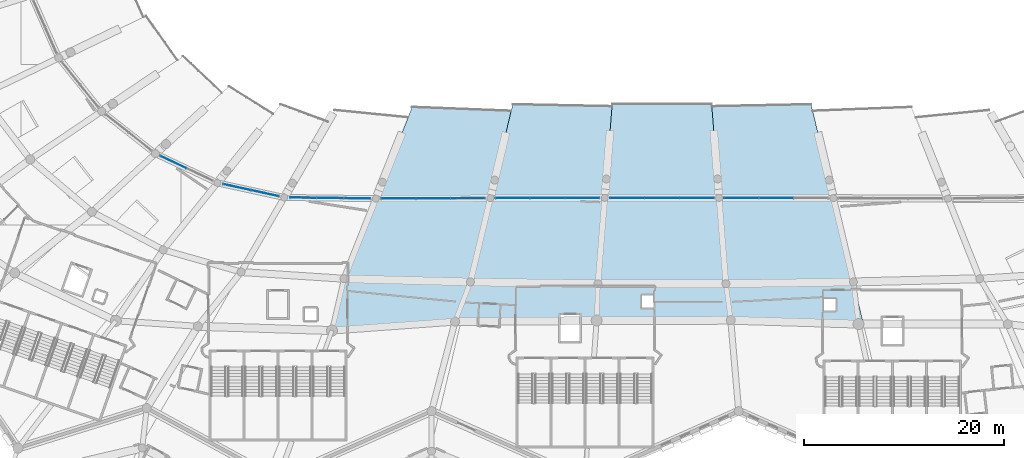
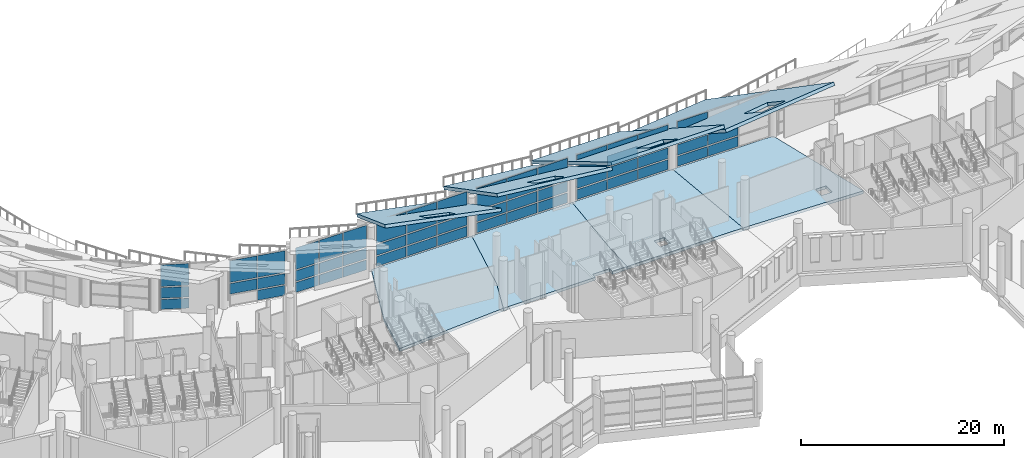
# One storey, part 102 of 249: 52 plates, 8 slabs, 7 elements without a shape of their own.
"""IFC4 building model written with IfcOpenShell, lengths in metres."""

import ifcopenshell
import ifcopenshell.guid

model = None  # the IFC model being written
_history = None  # IfcOwnerHistory: only IFC2X3 demands one
_inside = {}  # id of a spatial element -> (the spatial element, [elements in it])
_under = {}  # id of a project, library or spatial element -> (it, [spatial elements below it])
_declared = {}  # id of a project -> (the project, [libraries it declares])
_typed = {}  # id of a type object -> (the type object, [elements of that type])
_made_of = {}  # id of a material, layer set ... -> (it, [elements and type objects made of it])


def new_model(schema):
    """Start an empty IFC model of exactly this schema.

    Asked for "IFC4X3", IfcOpenShell would pick the latest addendum, in which some entities
    have other attributes; the version numbers below select the first issue.
    IFC2X3 requires an IfcOwnerHistory on every rooted entity: one is made here for all.
    """
    global model, _history
    if schema == "IFC4X3":
        model = ifcopenshell.file(schema_version=(4, 3, 0, 0))
    else:
        model = ifcopenshell.file(schema=schema)
    _inside.clear()
    _under.clear()
    _declared.clear()
    _typed.clear()
    _made_of.clear()
    _history = None
    if model.schema == "IFC2X3":
        org = make("IfcOrganization", Name="unknown")
        user = make(
            "IfcPersonAndOrganization",
            ThePerson=make("IfcPerson", FamilyName="unknown"),
            TheOrganization=org,
        )
        app = make(
            "IfcApplication",
            ApplicationDeveloper=org,
            Version="unknown",
            ApplicationFullName="unknown",
            ApplicationIdentifier="unknown",
        )
        _history = make(
            "IfcOwnerHistory",
            OwningUser=user,
            OwningApplication=app,
            ChangeAction="ADDED",
            CreationDate=0,
        )
    return model


def make(cls, **values):
    """One entity of the class cls with the attributes given. An attribute that is None is left unset."""
    return model.create_entity(
        cls, **{name: value for name, value in values.items() if value is not None}
    )


def rooted(cls, **values):
    """An entity with a GlobalId (a new one), such as an element, a storey or a relation."""
    return make(cls, GlobalId=ifcopenshell.guid.new(), OwnerHistory=_history, **values)


def si_unit(unit_type, name, prefix=None):
    """IfcSIUnit, for example si_unit("LENGTHUNIT", "METRE", prefix="MILLI")."""
    return make("IfcSIUnit", UnitType=unit_type, Prefix=prefix, Name=name)


def assignment(units):
    """IfcUnitAssignment: the units of a project."""
    return None if units is None else make("IfcUnitAssignment", Units=units)


def point(xyz):
    """IfcCartesianPoint."""
    return None if xyz is None else make("IfcCartesianPoint", Coordinates=xyz)


def direction(xyz):
    """IfcDirection."""
    return None if xyz is None else make("IfcDirection", DirectionRatios=xyz)


def frame(location, z_axis=None, x_axis=None):
    """IfcAxis2Placement3D, a coordinate frame: its origin and axes. An axis left out is left unset."""
    return make(
        "IfcAxis2Placement3D",
        Location=point(location),
        Axis=direction(z_axis),
        RefDirection=direction(x_axis),
    )


def frame_2d(location, x_axis=None):
    """IfcAxis2Placement2D, a coordinate frame in the plane: its origin and x axis."""
    return make(
        "IfcAxis2Placement2D", Location=point(location), RefDirection=direction(x_axis)
    )


def origin():
    """The frame at (0, 0, 0) with its axes left unset."""
    return frame((0.0, 0.0, 0.0))


def origin_2d():
    """The frame at (0, 0) in the plane with its x axis left unset."""
    return frame_2d((0.0, 0.0))


def place(relative_to, where):
    """IfcLocalPlacement: puts the frame where relative to a parent placement (None: the world)."""
    return make(
        "IfcLocalPlacement", PlacementRelTo=relative_to, RelativePlacement=where
    )


def context(
    kind, dimensions, precision=None, world=None, true_north=None, identifier=None
):
    """IfcGeometricRepresentationContext, for example the 3D "Model" context."""
    return make(
        "IfcGeometricRepresentationContext",
        ContextIdentifier=identifier,
        ContextType=kind,
        CoordinateSpaceDimension=dimensions,
        Precision=precision,
        WorldCoordinateSystem=world,
        TrueNorth=true_north,
    )


def subcontext(parent, identifier, kind, view, scale=None):
    """IfcGeometricRepresentationSubContext, for example "Body" below "Model"."""
    return make(
        "IfcGeometricRepresentationSubContext",
        ContextIdentifier=identifier,
        ContextType=kind,
        ParentContext=parent,
        TargetScale=scale,
        TargetView=view,
    )


def project(units=None, contexts=None):
    """IfcProject with its units and contexts."""
    return rooted(
        "IfcProject",
        Name="project",
        RepresentationContexts=contexts,
        UnitsInContext=assignment(units),
    )


def spatial(cls, under=None, at=None, **own):
    """A site, building, storey or space (cls), placed at a placement, below another one or the project."""
    s = rooted(cls, ObjectPlacement=at, **own)
    if under is not None:
        _under.setdefault(under.id(), (under, []))[1].append(s)
    return s


def polyline(points):
    """IfcPolyline through the points."""
    return make("IfcPolyline", Points=[point(p) for p in points])


def profile(cls, at=None, kind="AREA", **sizes):
    """A parametric profile (cls). Its sizes go by their IFC names, for example OverallWidth=200.0."""
    return make(cls, ProfileType=kind, Position=at, **sizes)


def rectangle(**sizes):
    """IfcRectangleProfileDef."""
    return profile("IfcRectangleProfileDef", **sizes)


def outline(outer, holes=None, kind="AREA"):
    """IfcArbitraryClosedProfileDef: a profile drawn as a closed curve; with holes, ...WithVoids."""
    if holes is None:
        return make("IfcArbitraryClosedProfileDef", ProfileType=kind, OuterCurve=outer)
    return make(
        "IfcArbitraryProfileDefWithVoids",
        ProfileType=kind,
        OuterCurve=outer,
        InnerCurves=holes,
    )


def extrude(swept, where, along, depth):
    """IfcExtrudedAreaSolid: the profile swept, set in the frame where, extruded along a direction by depth."""
    return make(
        "IfcExtrudedAreaSolid",
        SweptArea=swept,
        Position=where,
        ExtrudedDirection=direction(along),
        Depth=depth,
    )


def shape(context_of_items, identifier, shape_type, items):
    """IfcShapeRepresentation: the items that make up one representation, for example the "Body"."""
    return make(
        "IfcShapeRepresentation",
        ContextOfItems=context_of_items,
        RepresentationIdentifier=identifier,
        RepresentationType=shape_type,
        Items=items,
    )


def material(Name=None, Category=None):
    """IfcMaterial."""
    return make("IfcMaterial", Name=Name, Category=Category)


def layer(
    of_material, thickness, ventilated=None, Name=None, Category=None, Priority=None
):
    """IfcMaterialLayer: one layer of a wall or slab, of a material (None: an air gap)."""
    return make(
        "IfcMaterialLayer",
        Material=of_material,
        LayerThickness=thickness,
        IsVentilated=ventilated,
        Name=Name,
        Category=Category,
        Priority=Priority,
    )


def layer_set(layers, Name=None):
    """IfcMaterialLayerSet."""
    return make("IfcMaterialLayerSet", MaterialLayers=layers, LayerSetName=Name)


def made_of(thing, what):
    """Note that an element or type object is made of a material, layer set ...; save() writes the relation."""
    if what is not None:
        _made_of.setdefault(what.id(), (what, []))[1].append(thing)
    return thing


def type_object(cls, material=None, **own):
    """A type object (cls), such as IfcWallType, which elements share."""
    return made_of(rooted(cls, **own), material)


def element(
    cls,
    number,
    at=None,
    inside=None,
    cuts=None,
    type_object=None,
    material=None,
    context=None,
    identifier="Body",
    shape_type=None,
    held_by="IfcProductDefinitionShape",
    body=None,
    shapes=None,
    **own,
):
    """One element of the class cls, such as IfcWall. Its Tag is "e" and its number.

    at: its placement. inside: the storey or other place that contains it. cuts: it is an
    opening in that element (IfcRelVoidsElement). A single representation is given by context,
    identifier, shape_type and body (its items); several are given by shapes. held_by: the class
    of the entity that holds the representations. save() writes the other relations.
    """
    e = rooted(cls, Tag="e%d" % number, ObjectPlacement=at, **own)
    if body is not None:
        shapes = [shape(context, identifier, shape_type, body)]
    if shapes is not None:
        e.Representation = make(held_by, Representations=shapes)
    if inside is not None:
        _inside.setdefault(inside.id(), (inside, []))[1].append(e)
    if cuts is not None:
        rooted(
            "IfcRelVoidsElement", RelatingBuildingElement=cuts, RelatedOpeningElement=e
        )
    if type_object is not None:
        _typed.setdefault(type_object.id(), (type_object, []))[1].append(e)
    return made_of(e, material)


def aggregate(whole, parts):
    """IfcRelAggregates: a whole, such as a stair, and the parts it consists of."""
    return rooted("IfcRelAggregates", RelatingObject=whole, RelatedObjects=parts)


def save(model, path):
    """Write the relations noted so far, then the file.

    IfcRelAggregates (storeys below a building ...), IfcRelContainedInSpatialStructure (elements
    in a storey), IfcRelDefinesByType, IfcRelAssociatesMaterial and IfcRelDeclares: one each for
    every whole, place, type object, material and project.
    """
    for whole, parts in _under.values():
        aggregate(whole, parts)
    for where, things in _inside.values():
        rooted(
            "IfcRelContainedInSpatialStructure",
            RelatedElements=things,
            RelatingStructure=where,
        )
    for kind, things in _typed.values():
        rooted("IfcRelDefinesByType", RelatedObjects=things, RelatingType=kind)
    for what, things in _made_of.values():
        rooted("IfcRelAssociatesMaterial", RelatedObjects=things, RelatingMaterial=what)
    for by, libraries in _declared.values():
        rooted("IfcRelDeclares", RelatingContext=by, RelatedDefinitions=libraries)
    model.write(path)


model = new_model("IFC4")

# Units and contexts
model_context = context("Model", 3, precision=1e-05, world=origin(), true_north=direction((0.0, 1.0)))
body_context = subcontext(model_context, "Body", "Model", "MODEL_VIEW")
ifc_project = project(units=[si_unit("LENGTHUNIT", "METRE"), si_unit("AREAUNIT", "SQUARE_METRE"), si_unit("VOLUMEUNIT", "CUBIC_METRE"), si_unit("PLANEANGLEUNIT", "RADIAN"), si_unit("MASSUNIT", "GRAM", prefix="KILO")], contexts=[model_context])

# Site, building, storey
site_placement = place(None, origin())
site = spatial("IfcSite", under=ifc_project, at=site_placement, CompositionType="ELEMENT")
building_placement = place(site_placement, origin())
building = spatial("IfcBuilding", under=site, at=building_placement, Name="Meseta Stadium", CompositionType="ELEMENT")
storey_placement = place(building_placement, frame((0.0, 0.0, 12.0)))
storey = spatial("IfcBuildingStorey", under=building, at=storey_placement, Name="L02", CompositionType="ELEMENT", Elevation=12.0)

# Curtain wall, plates
ifc_material_1 = material(Name="Aluminium", Category="aluminium")
ifc_layer_1 = layer(ifc_material_1, 0.199951171875)
ifc_layer_set_1 = layer_set([ifc_layer_1], Name="Suite glazing curtain wall")
curtain_wall_type = type_object("IfcCurtainWallType", Name="Suite glazing curtain wall", PredefinedType="NOTDEFINED", material=ifc_layer_set_1)
curtain_wall_1_placement = place(storey_placement, origin())
curtain_wall_1 = element("IfcCurtainWall", 1, at=curtain_wall_1_placement, inside=storey, type_object=curtain_wall_type, Name="Suite glazing bay 41", PredefinedType="NOTDEFINED")
ifc_material_2 = material(Name="Glass", Category="glass")
ifc_layer_2 = layer(ifc_material_2, 0.035888671875)
ifc_layer_set_2 = layer_set([ifc_layer_2], Name="CW glass panel 36")
plate_type = type_object("IfcPlateType", Name="CW glass panel 36", PredefinedType="CURTAIN_PANEL", material=ifc_layer_set_2)
plate_1_placement = place(storey_placement, frame((-48.77294921875, -73.737548828125, 0.14990234375), z_axis=(0.0, 0.0, 1.0), x_axis=(0.904328409074, -0.426837356076, 0.0)))
plate_1 = element("IfcPlate", 2, at=plate_1_placement, type_object=plate_type, Name="CWS panel 1.1", PredefinedType="CURTAIN_PANEL", context=body_context, shape_type="SweptSolid", body=[
    extrude(rectangle(XDim=2.822509765625, YDim=0.035888671875, at=origin_2d()), origin(), (0.0, 0.0, 1.0), 1.1875),
])
plate_2_placement = place(storey_placement, frame((-48.77294921875, -73.737548828125, 1.4873046875), z_axis=(0.0, 0.0, 1.0), x_axis=(0.904328409074, -0.426837356076, 0.0)))
plate_2 = element("IfcPlate", 3, at=plate_2_placement, type_object=plate_type, Name="CWS panel 1.2", PredefinedType="CURTAIN_PANEL", context=body_context, shape_type="SweptSolid", body=[
    extrude(rectangle(XDim=2.822509765625, YDim=0.035888671875, at=origin_2d()), origin(), (0.0, 0.0, 1.0), 1.262451171875),
])
plate_3_placement = place(storey_placement, frame((-48.77294921875, -73.737548828125, 2.89990234375), z_axis=(0.0, 0.0, 1.0), x_axis=(0.904328409074, -0.426837356076, 0.0)))
plate_3 = element("IfcPlate", 4, at=plate_3_placement, type_object=plate_type, Name="CWS panel 1.3", PredefinedType="CURTAIN_PANEL", context=body_context, shape_type="SweptSolid", body=[
    extrude(rectangle(XDim=2.822509765625, YDim=0.035888671875, at=origin_2d()), origin(), (0.0, 0.0, 1.0), 2.60009765625),
])
aggregate(curtain_wall_1, [plate_1, plate_2, plate_3])

curtain_wall_2_placement = place(storey_placement, origin())
curtain_wall_2 = element("IfcCurtainWall", 5, at=curtain_wall_2_placement, inside=storey, type_object=curtain_wall_type, Name="Suite glazing bay 42", PredefinedType="NOTDEFINED")
plate_4_placement = place(storey_placement, frame((-42.43603515625, -76.232177734375, 1.4873046875), z_axis=(0.0, 0.0, 1.0), x_axis=(0.977070301273, -0.21291694712, 0.0)))
plate_4 = element("IfcPlate", 6, at=plate_4_placement, type_object=plate_type, Name="CWS panel 1.2", PredefinedType="CURTAIN_PANEL", context=body_context, shape_type="SweptSolid", body=[
    extrude(rectangle(XDim=2.80810546875, YDim=0.035888671875, at=origin_2d()), origin(), (0.0, 0.0, 1.0), 1.262451171875),
])
plate_5_placement = place(storey_placement, frame((-42.43603515625, -76.232177734375, 2.89990234375), z_axis=(0.0, 0.0, 1.0), x_axis=(0.977070301273, -0.21291694712, 0.0)))
plate_5 = element("IfcPlate", 7, at=plate_5_placement, type_object=plate_type, Name="CWS panel 1.3", PredefinedType="CURTAIN_PANEL", context=body_context, shape_type="SweptSolid", body=[
    extrude(rectangle(XDim=2.80810546875, YDim=0.035888671875, at=origin_2d()), origin(), (0.0, 0.0, 1.0), 2.60009765625),
])
plate_6_placement = place(storey_placement, frame((-39.633544921875, -76.843017578125, 0.14990234375), z_axis=(0.0, 0.0, 1.0), x_axis=(0.977070301273, -0.21291694712, 0.0)))
plate_6 = element("IfcPlate", 8, at=plate_6_placement, type_object=plate_type, Name="CWS panel 2.1", PredefinedType="CURTAIN_PANEL", context=body_context, shape_type="SweptSolid", body=[
    extrude(rectangle(XDim=2.80810546875, YDim=0.035888671875, at=origin_2d()), origin(), (0.0, 0.0, 1.0), 1.1875),
])
plate_7_placement = place(storey_placement, frame((-39.633544921875, -76.843017578125, 1.4873046875), z_axis=(0.0, 0.0, 1.0), x_axis=(0.977070301273, -0.21291694712, 0.0)))
plate_7 = element("IfcPlate", 9, at=plate_7_placement, type_object=plate_type, Name="CWS panel 2.2", PredefinedType="CURTAIN_PANEL", context=body_context, shape_type="SweptSolid", body=[
    extrude(rectangle(XDim=2.80810546875, YDim=0.035888671875, at=origin_2d()), origin(), (0.0, 0.0, 1.0), 1.262451171875),
])
plate_8_placement = place(storey_placement, frame((-39.633544921875, -76.843017578125, 2.89990234375), z_axis=(0.0, 0.0, 1.0), x_axis=(0.977070301273, -0.21291694712, 0.0)))
plate_8 = element("IfcPlate", 10, at=plate_8_placement, type_object=plate_type, Name="CWS panel 2.3", PredefinedType="CURTAIN_PANEL", context=body_context, shape_type="SweptSolid", body=[
    extrude(rectangle(XDim=2.80810546875, YDim=0.035888671875, at=origin_2d()), origin(), (0.0, 0.0, 1.0), 2.60009765625),
])
aggregate(curtain_wall_2, [plate_4, plate_5, plate_6, plate_7, plate_8])

curtain_wall_3_placement = place(storey_placement, origin())
curtain_wall_3 = element("IfcCurtainWall", 11, at=curtain_wall_3_placement, inside=storey, type_object=curtain_wall_type, Name="Suite glazing bay 43", PredefinedType="NOTDEFINED")
plate_9_placement = place(storey_placement, frame((-35.80029296875, -77.287109375, 0.14990234375), z_axis=(0.0, 0.0, 1.0), x_axis=(0.999911801279, -0.013281177042, 0.0)))
plate_9 = element("IfcPlate", 12, at=plate_9_placement, type_object=plate_type, Name="CWS panel 1.1", PredefinedType="CURTAIN_PANEL", context=body_context, shape_type="SweptSolid", body=[
    extrude(rectangle(XDim=2.60546875, YDim=0.035888671875, at=origin_2d()), origin(), (0.0, 0.0, 1.0), 1.1875),
])
plate_10_placement = place(storey_placement, frame((-35.80029296875, -77.287109375, 1.4873046875), z_axis=(0.0, 0.0, 1.0), x_axis=(0.999911801279, -0.013281177042, 0.0)))
plate_10 = element("IfcPlate", 13, at=plate_10_placement, type_object=plate_type, Name="CWS panel 1.2", PredefinedType="CURTAIN_PANEL", context=body_context, shape_type="SweptSolid", body=[
    extrude(rectangle(XDim=2.60546875, YDim=0.035888671875, at=origin_2d()), origin(), (0.0, 0.0, 1.0), 1.262451171875),
])
plate_11_placement = place(storey_placement, frame((-35.80029296875, -77.287109375, 2.89990234375), z_axis=(0.0, 0.0, 1.0), x_axis=(0.999911801279, -0.013281177042, 0.0)))
plate_11 = element("IfcPlate", 14, at=plate_11_placement, type_object=plate_type, Name="CWS panel 1.3", PredefinedType="CURTAIN_PANEL", context=body_context, shape_type="SweptSolid", body=[
    extrude(rectangle(XDim=2.60546875, YDim=0.035888671875, at=origin_2d()), origin(), (0.0, 0.0, 1.0), 2.60009765625),
])
plate_12_placement = place(storey_placement, frame((-33.1201171875, -77.32275390625, 0.14990234375), z_axis=(0.0, 0.0, 1.0), x_axis=(0.999911801279, -0.013281177042, 0.0)))
plate_12 = element("IfcPlate", 15, at=plate_12_placement, type_object=plate_type, Name="CWS panel 2.1", PredefinedType="CURTAIN_PANEL", context=body_context, shape_type="SweptSolid", body=[
    extrude(rectangle(XDim=2.635498046875, YDim=0.035888671875, at=origin_2d()), origin(), (0.0, 0.0, 1.0), 1.1875),
])
plate_13_placement = place(storey_placement, frame((-33.1201171875, -77.32275390625, 1.4873046875), z_axis=(0.0, 0.0, 1.0), x_axis=(0.999911801279, -0.013281177042, 0.0)))
plate_13 = element("IfcPlate", 16, at=plate_13_placement, type_object=plate_type, Name="CWS panel 2.2", PredefinedType="CURTAIN_PANEL", context=body_context, shape_type="SweptSolid", body=[
    extrude(rectangle(XDim=2.635498046875, YDim=0.035888671875, at=origin_2d()), origin(), (0.0, 0.0, 1.0), 1.262451171875),
])
plate_14_placement = place(storey_placement, frame((-33.1201171875, -77.32275390625, 2.89990234375), z_axis=(0.0, 0.0, 1.0), x_axis=(0.999911801279, -0.013281177042, 0.0)))
plate_14 = element("IfcPlate", 17, at=plate_14_placement, type_object=plate_type, Name="CWS panel 2.3", PredefinedType="CURTAIN_PANEL", context=body_context, shape_type="SweptSolid", body=[
    extrude(rectangle(XDim=2.635498046875, YDim=0.035888671875, at=origin_2d()), origin(), (0.0, 0.0, 1.0), 2.60009765625),
])
plate_15_placement = place(storey_placement, frame((-30.43994140625, -77.3583984375, 0.14990234375), z_axis=(0.0, 0.0, 1.0), x_axis=(0.999911801279, -0.013281177042, 0.0)))
plate_15 = element("IfcPlate", 18, at=plate_15_placement, type_object=plate_type, Name="CWS panel 3.1", PredefinedType="CURTAIN_PANEL", context=body_context, shape_type="SweptSolid", body=[
    extrude(rectangle(XDim=2.60546875, YDim=0.035888671875, at=origin_2d()), origin(), (0.0, 0.0, 1.0), 1.1875),
])
plate_16_placement = place(storey_placement, frame((-30.43994140625, -77.3583984375, 1.4873046875), z_axis=(0.0, 0.0, 1.0), x_axis=(0.999911801279, -0.013281177042, 0.0)))
plate_16 = element("IfcPlate", 19, at=plate_16_placement, type_object=plate_type, Name="CWS panel 3.2", PredefinedType="CURTAIN_PANEL", context=body_context, shape_type="SweptSolid", body=[
    extrude(rectangle(XDim=2.60546875, YDim=0.035888671875, at=origin_2d()), origin(), (0.0, 0.0, 1.0), 1.262451171875),
])
plate_17_placement = place(storey_placement, frame((-30.43994140625, -77.3583984375, 2.89990234375), z_axis=(0.0, 0.0, 1.0), x_axis=(0.999911801279, -0.013281177042, 0.0)))
plate_17 = element("IfcPlate", 20, at=plate_17_placement, type_object=plate_type, Name="CWS panel 3.3", PredefinedType="CURTAIN_PANEL", context=body_context, shape_type="SweptSolid", body=[
    extrude(rectangle(XDim=2.60546875, YDim=0.035888671875, at=origin_2d()), origin(), (0.0, 0.0, 1.0), 2.60009765625),
])
aggregate(curtain_wall_3, [plate_9, plate_10, plate_11, plate_12, plate_13, plate_14, plate_15, plate_16, plate_17])

curtain_wall_4_placement = place(storey_placement, origin())
curtain_wall_4 = element("IfcCurtainWall", 21, at=curtain_wall_4_placement, inside=storey, type_object=curtain_wall_type, Name="Suite glazing bay 44", PredefinedType="NOTDEFINED")
plate_18_placement = place(storey_placement, frame((-26.29541015625, -77.373046875, 0.14990234375), z_axis=(0.0, 0.0, 1.0), x_axis=(0.999990015912, 0.004468565348, 0.0)))
plate_18 = element("IfcPlate", 22, at=plate_18_placement, type_object=plate_type, Name="CWS panel 1.1", PredefinedType="CURTAIN_PANEL", context=body_context, shape_type="SweptSolid", body=[
    extrude(rectangle(XDim=3.386474609375, YDim=0.035888671875, at=origin_2d()), origin(), (0.0, 0.0, 1.0), 1.1875),
])
plate_19_placement = place(storey_placement, frame((-26.29541015625, -77.373046875, 1.4873046875), z_axis=(0.0, 0.0, 1.0), x_axis=(0.999990015912, 0.004468565348, 0.0)))
plate_19 = element("IfcPlate", 23, at=plate_19_placement, type_object=plate_type, Name="CWS panel 1.2", PredefinedType="CURTAIN_PANEL", context=body_context, shape_type="SweptSolid", body=[
    extrude(rectangle(XDim=3.386474609375, YDim=0.035888671875, at=origin_2d()), origin(), (0.0, 0.0, 1.0), 1.262451171875),
])
plate_20_placement = place(storey_placement, frame((-26.29541015625, -77.373046875, 2.89990234375), z_axis=(0.0, 0.0, 1.0), x_axis=(0.999990015912, 0.004468565348, 0.0)))
plate_20 = element("IfcPlate", 24, at=plate_20_placement, type_object=plate_type, Name="CWS panel 1.3", PredefinedType="CURTAIN_PANEL", context=body_context, shape_type="SweptSolid", body=[
    extrude(rectangle(XDim=3.386474609375, YDim=0.035888671875, at=origin_2d()), origin(), (0.0, 0.0, 1.0), 2.60009765625),
])
plate_21_placement = place(storey_placement, frame((-22.833984375, -77.357666015625, 0.14990234375), z_axis=(0.0, 0.0, 1.0), x_axis=(0.999990015912, 0.004468565348, 0.0)))
plate_21 = element("IfcPlate", 25, at=plate_21_placement, type_object=plate_type, Name="CWS panel 2.1", PredefinedType="CURTAIN_PANEL", context=body_context, shape_type="SweptSolid", body=[
    extrude(rectangle(XDim=3.41650390625, YDim=0.035888671875, at=origin_2d()), origin(), (0.0, 0.0, 1.0), 1.1875),
])
plate_22_placement = place(storey_placement, frame((-22.833984375, -77.357666015625, 1.4873046875), z_axis=(0.0, 0.0, 1.0), x_axis=(0.999990015912, 0.004468565348, 0.0)))
plate_22 = element("IfcPlate", 26, at=plate_22_placement, type_object=plate_type, Name="CWS panel 2.2", PredefinedType="CURTAIN_PANEL", context=body_context, shape_type="SweptSolid", body=[
    extrude(rectangle(XDim=3.41650390625, YDim=0.035888671875, at=origin_2d()), origin(), (0.0, 0.0, 1.0), 1.262451171875),
])
plate_23_placement = place(storey_placement, frame((-22.833984375, -77.357666015625, 2.89990234375), z_axis=(0.0, 0.0, 1.0), x_axis=(0.999990015912, 0.004468565348, 0.0)))
plate_23 = element("IfcPlate", 27, at=plate_23_placement, type_object=plate_type, Name="CWS panel 2.3", PredefinedType="CURTAIN_PANEL", context=body_context, shape_type="SweptSolid", body=[
    extrude(rectangle(XDim=3.41650390625, YDim=0.035888671875, at=origin_2d()), origin(), (0.0, 0.0, 1.0), 2.60009765625),
])
plate_24_placement = place(storey_placement, frame((-19.372802734375, -77.342041015625, 0.14990234375), z_axis=(0.0, 0.0, 1.0), x_axis=(0.999990015912, 0.004468565348, 0.0)))
plate_24 = element("IfcPlate", 28, at=plate_24_placement, type_object=plate_type, Name="CWS panel 3.1", PredefinedType="CURTAIN_PANEL", context=body_context, shape_type="SweptSolid", body=[
    extrude(rectangle(XDim=3.386474609375, YDim=0.035888671875, at=origin_2d()), origin(), (0.0, 0.0, 1.0), 1.1875),
])
plate_25_placement = place(storey_placement, frame((-19.372802734375, -77.342041015625, 1.4873046875), z_axis=(0.0, 0.0, 1.0), x_axis=(0.999990015912, 0.004468565348, 0.0)))
plate_25 = element("IfcPlate", 29, at=plate_25_placement, type_object=plate_type, Name="CWS panel 3.2", PredefinedType="CURTAIN_PANEL", context=body_context, shape_type="SweptSolid", body=[
    extrude(rectangle(XDim=3.386474609375, YDim=0.035888671875, at=origin_2d()), origin(), (0.0, 0.0, 1.0), 1.262451171875),
])
plate_26_placement = place(storey_placement, frame((-19.372802734375, -77.342041015625, 2.89990234375), z_axis=(0.0, 0.0, 1.0), x_axis=(0.999990015912, 0.004468565348, 0.0)))
plate_26 = element("IfcPlate", 30, at=plate_26_placement, type_object=plate_type, Name="CWS panel 3.3", PredefinedType="CURTAIN_PANEL", context=body_context, shape_type="SweptSolid", body=[
    extrude(rectangle(XDim=3.386474609375, YDim=0.035888671875, at=origin_2d()), origin(), (0.0, 0.0, 1.0), 2.60009765625),
])
aggregate(curtain_wall_4, [plate_18, plate_19, plate_20, plate_21, plate_22, plate_23, plate_24, plate_25, plate_26])

curtain_wall_5_placement = place(storey_placement, origin())
curtain_wall_5 = element("IfcCurtainWall", 31, at=curtain_wall_5_placement, inside=storey, type_object=curtain_wall_type, Name="Suite glazing bay 45", PredefinedType="NOTDEFINED")
plate_27_placement = place(storey_placement, frame((-14.8779296875, -77.326416015625, 0.14990234375), z_axis=(0.0, 0.0, 1.0), x_axis=(0.999996910004, 0.002485957037, 0.0)))
plate_27 = element("IfcPlate", 32, at=plate_27_placement, type_object=plate_type, Name="CWS panel 1.1", PredefinedType="CURTAIN_PANEL", context=body_context, shape_type="SweptSolid", body=[
    extrude(rectangle(XDim=3.392333984375, YDim=0.035888671875, at=origin_2d()), origin(), (0.0, 0.0, 1.0), 1.1875),
])
plate_28_placement = place(storey_placement, frame((-14.8779296875, -77.326416015625, 1.4873046875), z_axis=(0.0, 0.0, 1.0), x_axis=(0.999996910004, 0.002485957037, 0.0)))
plate_28 = element("IfcPlate", 33, at=plate_28_placement, type_object=plate_type, Name="CWS panel 1.2", PredefinedType="CURTAIN_PANEL", context=body_context, shape_type="SweptSolid", body=[
    extrude(rectangle(XDim=3.392333984375, YDim=0.035888671875, at=origin_2d()), origin(), (0.0, 0.0, 1.0), 1.262451171875),
])
plate_29_placement = place(storey_placement, frame((-14.8779296875, -77.326416015625, 2.89990234375), z_axis=(0.0, 0.0, 1.0), x_axis=(0.999996910004, 0.002485957037, 0.0)))
plate_29 = element("IfcPlate", 34, at=plate_29_placement, type_object=plate_type, Name="CWS panel 1.3", PredefinedType="CURTAIN_PANEL", context=body_context, shape_type="SweptSolid", body=[
    extrude(rectangle(XDim=3.392333984375, YDim=0.035888671875, at=origin_2d()), origin(), (0.0, 0.0, 1.0), 2.60009765625),
])
plate_30_placement = place(storey_placement, frame((-11.41064453125, -77.31787109375, 0.14990234375), z_axis=(0.0, 0.0, 1.0), x_axis=(0.999996910004, 0.002485957037, 0.0)))
plate_30 = element("IfcPlate", 35, at=plate_30_placement, type_object=plate_type, Name="CWS panel 2.1", PredefinedType="CURTAIN_PANEL", context=body_context, shape_type="SweptSolid", body=[
    extrude(rectangle(XDim=3.42236328125, YDim=0.035888671875, at=origin_2d()), origin(), (0.0, 0.0, 1.0), 1.1875),
])
plate_31_placement = place(storey_placement, frame((-11.41064453125, -77.31787109375, 1.4873046875), z_axis=(0.0, 0.0, 1.0), x_axis=(0.999996910004, 0.002485957037, 0.0)))
plate_31 = element("IfcPlate", 36, at=plate_31_placement, type_object=plate_type, Name="CWS panel 2.2", PredefinedType="CURTAIN_PANEL", context=body_context, shape_type="SweptSolid", body=[
    extrude(rectangle(XDim=3.42236328125, YDim=0.035888671875, at=origin_2d()), origin(), (0.0, 0.0, 1.0), 1.262451171875),
])
plate_32_placement = place(storey_placement, frame((-11.41064453125, -77.31787109375, 2.89990234375), z_axis=(0.0, 0.0, 1.0), x_axis=(0.999996910004, 0.002485957037, 0.0)))
plate_32 = element("IfcPlate", 37, at=plate_32_placement, type_object=plate_type, Name="CWS panel 2.3", PredefinedType="CURTAIN_PANEL", context=body_context, shape_type="SweptSolid", body=[
    extrude(rectangle(XDim=3.42236328125, YDim=0.035888671875, at=origin_2d()), origin(), (0.0, 0.0, 1.0), 2.60009765625),
])
plate_33_placement = place(storey_placement, frame((-7.943359375, -77.309326171875, 0.14990234375), z_axis=(0.0, 0.0, 1.0), x_axis=(0.999996910004, 0.002485957037, 0.0)))
plate_33 = element("IfcPlate", 38, at=plate_33_placement, type_object=plate_type, Name="CWS panel 3.1", PredefinedType="CURTAIN_PANEL", context=body_context, shape_type="SweptSolid", body=[
    extrude(rectangle(XDim=3.392333984375, YDim=0.035888671875, at=origin_2d()), origin(), (0.0, 0.0, 1.0), 1.1875),
])
plate_34_placement = place(storey_placement, frame((-7.943359375, -77.309326171875, 1.4873046875), z_axis=(0.0, 0.0, 1.0), x_axis=(0.999996910004, 0.002485957037, 0.0)))
plate_34 = element("IfcPlate", 39, at=plate_34_placement, type_object=plate_type, Name="CWS panel 3.2", PredefinedType="CURTAIN_PANEL", context=body_context, shape_type="SweptSolid", body=[
    extrude(rectangle(XDim=3.392333984375, YDim=0.035888671875, at=origin_2d()), origin(), (0.0, 0.0, 1.0), 1.262451171875),
])
plate_35_placement = place(storey_placement, frame((-7.943359375, -77.309326171875, 2.89990234375), z_axis=(0.0, 0.0, 1.0), x_axis=(0.999996910004, 0.002485957037, 0.0)))
plate_35 = element("IfcPlate", 40, at=plate_35_placement, type_object=plate_type, Name="CWS panel 3.3", PredefinedType="CURTAIN_PANEL", context=body_context, shape_type="SweptSolid", body=[
    extrude(rectangle(XDim=3.392333984375, YDim=0.035888671875, at=origin_2d()), origin(), (0.0, 0.0, 1.0), 2.60009765625),
])
aggregate(curtain_wall_5, [plate_27, plate_28, plate_29, plate_30, plate_31, plate_32, plate_33, plate_34, plate_35])

curtain_wall_6_placement = place(storey_placement, origin())
curtain_wall_6 = element("IfcCurtainWall", 41, at=curtain_wall_6_placement, inside=storey, type_object=curtain_wall_type, Name="Suite glazing bay 46", PredefinedType="NOTDEFINED")
plate_36_placement = place(storey_placement, frame((-3.46923828125, -77.3037109375, 0.14990234375), z_axis=(0.0, 0.0, 1.0), x_axis=(1.0, 0.0, 0.0)))
plate_36 = element("IfcPlate", 42, at=plate_36_placement, type_object=plate_type, Name="CWS panel 1.1", PredefinedType="CURTAIN_PANEL", context=body_context, shape_type="SweptSolid", body=[
    extrude(rectangle(XDim=3.39404296875, YDim=0.035888671875, at=origin_2d()), origin(), (0.0, 0.0, 1.0), 1.1875),
])
plate_37_placement = place(storey_placement, frame((-3.46923828125, -77.3037109375, 1.4873046875), z_axis=(0.0, 0.0, 1.0), x_axis=(1.0, 0.0, 0.0)))
plate_37 = element("IfcPlate", 43, at=plate_37_placement, type_object=plate_type, Name="CWS panel 1.2", PredefinedType="CURTAIN_PANEL", context=body_context, shape_type="SweptSolid", body=[
    extrude(rectangle(XDim=3.39404296875, YDim=0.035888671875, at=origin_2d()), origin(), (0.0, 0.0, 1.0), 1.262451171875),
])
plate_38_placement = place(storey_placement, frame((-3.46923828125, -77.3037109375, 2.89990234375), z_axis=(0.0, 0.0, 1.0), x_axis=(1.0, 0.0, 0.0)))
plate_38 = element("IfcPlate", 44, at=plate_38_placement, type_object=plate_type, Name="CWS panel 1.3", PredefinedType="CURTAIN_PANEL", context=body_context, shape_type="SweptSolid", body=[
    extrude(rectangle(XDim=3.39404296875, YDim=0.035888671875, at=origin_2d()), origin(), (0.0, 0.0, 1.0), 1.262451171875),
])
plate_39_placement = place(storey_placement, frame((-3.46923828125, -77.3037109375, 4.3125), z_axis=(0.0, 0.0, 1.0), x_axis=(1.0, 0.0, 0.0)))
plate_39 = element("IfcPlate", 45, at=plate_39_placement, type_object=plate_type, Name="CWS panel 1.4", PredefinedType="CURTAIN_PANEL", context=body_context, shape_type="SweptSolid", body=[
    extrude(rectangle(XDim=3.39404296875, YDim=0.035888671875, at=origin_2d()), origin(), (0.0, 0.0, 1.0), 1.1875),
])
plate_40_placement = place(storey_placement, frame((0.0, -77.3037109375, 0.14990234375), z_axis=(0.0, 0.0, 1.0), x_axis=(1.0, 0.0, 0.0)))
plate_40 = element("IfcPlate", 46, at=plate_40_placement, type_object=plate_type, Name="CWS panel 2.1", PredefinedType="CURTAIN_PANEL", context=body_context, shape_type="SweptSolid", body=[
    extrude(rectangle(XDim=3.424072265625, YDim=0.035888671875, at=origin_2d()), origin(), (0.0, 0.0, 1.0), 1.1875),
])
plate_41_placement = place(storey_placement, frame((0.0, -77.3037109375, 1.4873046875), z_axis=(0.0, 0.0, 1.0), x_axis=(1.0, 0.0, 0.0)))
plate_41 = element("IfcPlate", 47, at=plate_41_placement, type_object=plate_type, Name="CWS panel 2.2", PredefinedType="CURTAIN_PANEL", context=body_context, shape_type="SweptSolid", body=[
    extrude(rectangle(XDim=3.424072265625, YDim=0.035888671875, at=origin_2d()), origin(), (0.0, 0.0, 1.0), 1.262451171875),
])
plate_42_placement = place(storey_placement, frame((0.0, -77.3037109375, 2.89990234375), z_axis=(0.0, 0.0, 1.0), x_axis=(1.0, 0.0, 0.0)))
plate_42 = element("IfcPlate", 48, at=plate_42_placement, type_object=plate_type, Name="CWS panel 2.3", PredefinedType="CURTAIN_PANEL", context=body_context, shape_type="SweptSolid", body=[
    extrude(rectangle(XDim=3.424072265625, YDim=0.035888671875, at=origin_2d()), origin(), (0.0, 0.0, 1.0), 1.262451171875),
])
plate_43_placement = place(storey_placement, frame((0.0, -77.3037109375, 4.3125), z_axis=(0.0, 0.0, 1.0), x_axis=(1.0, 0.0, 0.0)))
plate_43 = element("IfcPlate", 49, at=plate_43_placement, type_object=plate_type, Name="CWS panel 2.4", PredefinedType="CURTAIN_PANEL", context=body_context, shape_type="SweptSolid", body=[
    extrude(rectangle(XDim=3.424072265625, YDim=0.035888671875, at=origin_2d()), origin(), (0.0, 0.0, 1.0), 1.1875),
])
plate_44_placement = place(storey_placement, frame((3.46923828125, -77.3037109375, 0.14990234375), z_axis=(0.0, 0.0, 1.0), x_axis=(1.0, 0.0, 0.0)))
plate_44 = element("IfcPlate", 50, at=plate_44_placement, type_object=plate_type, Name="CWS panel 3.1", PredefinedType="CURTAIN_PANEL", context=body_context, shape_type="SweptSolid", body=[
    extrude(rectangle(XDim=3.39404296875, YDim=0.035888671875, at=origin_2d()), origin(), (0.0, 0.0, 1.0), 1.1875),
])
plate_45_placement = place(storey_placement, frame((3.46923828125, -77.3037109375, 1.4873046875), z_axis=(0.0, 0.0, 1.0), x_axis=(1.0, 0.0, 0.0)))
plate_45 = element("IfcPlate", 51, at=plate_45_placement, type_object=plate_type, Name="CWS panel 3.2", PredefinedType="CURTAIN_PANEL", context=body_context, shape_type="SweptSolid", body=[
    extrude(rectangle(XDim=3.39404296875, YDim=0.035888671875, at=origin_2d()), origin(), (0.0, 0.0, 1.0), 1.262451171875),
])
plate_46_placement = place(storey_placement, frame((3.46923828125, -77.3037109375, 2.89990234375), z_axis=(0.0, 0.0, 1.0), x_axis=(1.0, 0.0, 0.0)))
plate_46 = element("IfcPlate", 52, at=plate_46_placement, type_object=plate_type, Name="CWS panel 3.3", PredefinedType="CURTAIN_PANEL", context=body_context, shape_type="SweptSolid", body=[
    extrude(rectangle(XDim=3.39404296875, YDim=0.035888671875, at=origin_2d()), origin(), (0.0, 0.0, 1.0), 1.262451171875),
])
plate_47_placement = place(storey_placement, frame((3.46923828125, -77.3037109375, 4.3125), z_axis=(0.0, 0.0, 1.0), x_axis=(1.0, 0.0, 0.0)))
plate_47 = element("IfcPlate", 53, at=plate_47_placement, type_object=plate_type, Name="CWS panel 3.4", PredefinedType="CURTAIN_PANEL", context=body_context, shape_type="SweptSolid", body=[
    extrude(rectangle(XDim=3.39404296875, YDim=0.035888671875, at=origin_2d()), origin(), (0.0, 0.0, 1.0), 1.1875),
])
aggregate(curtain_wall_6, [plate_36, plate_37, plate_38, plate_39, plate_40, plate_41, plate_42, plate_43, plate_44, plate_45, plate_46, plate_47])

curtain_wall_7_placement = place(storey_placement, origin())
curtain_wall_7 = element("IfcCurtainWall", 54, at=curtain_wall_7_placement, inside=storey, type_object=curtain_wall_type, Name="Suite glazing bay 47", PredefinedType="NOTDEFINED")
plate_48_placement = place(storey_placement, frame((7.943359375, -77.309326171875, 0.14990234375), z_axis=(0.0, 0.0, 1.0), x_axis=(0.999996910004, -0.002485957037, 0.0)))
plate_48 = element("IfcPlate", 55, at=plate_48_placement, type_object=plate_type, Name="CWS panel 1.1", PredefinedType="CURTAIN_PANEL", context=body_context, shape_type="SweptSolid", body=[
    extrude(rectangle(XDim=3.392333984375, YDim=0.035888671875, at=origin_2d()), origin(), (0.0, 0.0, 1.0), 1.1875),
])
plate_49_placement = place(storey_placement, frame((7.943359375, -77.309326171875, 1.4873046875), z_axis=(0.0, 0.0, 1.0), x_axis=(0.999996910004, -0.002485957037, 0.0)))
plate_49 = element("IfcPlate", 56, at=plate_49_placement, type_object=plate_type, Name="CWS panel 1.2", PredefinedType="CURTAIN_PANEL", context=body_context, shape_type="SweptSolid", body=[
    extrude(rectangle(XDim=3.392333984375, YDim=0.035888671875, at=origin_2d()), origin(), (0.0, 0.0, 1.0), 1.262451171875),
])
plate_50_placement = place(storey_placement, frame((7.943359375, -77.309326171875, 2.89990234375), z_axis=(0.0, 0.0, 1.0), x_axis=(0.999996910004, -0.002485957037, 0.0)))
plate_50 = element("IfcPlate", 57, at=plate_50_placement, type_object=plate_type, Name="CWS panel 1.3", PredefinedType="CURTAIN_PANEL", context=body_context, shape_type="SweptSolid", body=[
    extrude(rectangle(XDim=3.392333984375, YDim=0.035888671875, at=origin_2d()), origin(), (0.0, 0.0, 1.0), 2.60009765625),
])
plate_51_placement = place(storey_placement, frame((11.41064453125, -77.31787109375, 0.14990234375), z_axis=(0.0, 0.0, 1.0), x_axis=(0.999996910004, -0.002485957037, 0.0)))
plate_51 = element("IfcPlate", 58, at=plate_51_placement, type_object=plate_type, Name="CWS panel 2.1", PredefinedType="CURTAIN_PANEL", context=body_context, shape_type="SweptSolid", body=[
    extrude(rectangle(XDim=3.42236328125, YDim=0.035888671875, at=origin_2d()), origin(), (0.0, 0.0, 1.0), 1.1875),
])
plate_52_placement = place(storey_placement, frame((11.41064453125, -77.31787109375, 1.4873046875), z_axis=(0.0, 0.0, 1.0), x_axis=(0.999996910004, -0.002485957037, 0.0)))
plate_52 = element("IfcPlate", 59, at=plate_52_placement, type_object=plate_type, Name="CWS panel 2.2", PredefinedType="CURTAIN_PANEL", context=body_context, shape_type="SweptSolid", body=[
    extrude(rectangle(XDim=3.42236328125, YDim=0.035888671875, at=origin_2d()), origin(), (0.0, 0.0, 1.0), 1.262451171875),
])
aggregate(curtain_wall_7, [plate_48, plate_49, plate_50, plate_51, plate_52])

# Slabs
ifc_material_3 = material(Name="Concrete C40/50", Category="concrete")
ifc_layer_3 = layer(ifc_material_3, 0.35009765625)
ifc_layer_set_3 = layer_set([ifc_layer_3], Name="Floor slab 350")
slab_type_1 = type_object("IfcSlabType", Name="Floor slab 350", PredefinedType="FLOOR", material=ifc_layer_set_3)
slab_1_placement = place(storey_placement, frame((0.0, 0.0, -0.35009765625)))
element("IfcSlab", 60, at=slab_1_placement, inside=storey, type_object=slab_type_1, Name="Floor slab L02 sector 42 panel 07", PredefinedType="FLOOR", context=body_context, shape_type="SweptSolid", body=[
    extrude(outline(polyline([(-20.93701171875, -77.346923828125), (-28.564697265625, -77.38330078125), (-31.73681640625, -85.376708984375), (-32.944091796875, -90.551025390625), (-20.649658203125, -89.65625), (-19.11865234375, -85.6982421875), (-17.126708984375, -77.33203125), (-20.93701171875, -77.346923828125)])), origin(), (0.0, 0.0, 1.0), 0.35009765625),
])
slab_2_placement = place(storey_placement, frame((0.0, 0.0, -0.35009765625)))
element("IfcSlab", 61, at=slab_2_placement, inside=storey, type_object=slab_type_1, Name="Floor slab L02 sector 42 panel 09", PredefinedType="FLOOR", context=body_context, shape_type="SweptSolid", body=[
    extrude(outline(polyline([(-10.11669921875, -89.574462890625), (-10.11669921875, -89.0), (-8.216796875, -89.0), (-8.216796875, -89.5595703125), (-6.51708984375, -89.54638671875), (-6.386962890625, -85.876708984375), (-5.70654296875, -77.3037109375), (-9.511962890625, -77.310302734375), (-15.222412109375, -77.32568359375), (-17.126708984375, -77.33203125), (-19.11865234375, -85.6982421875), (-20.649658203125, -89.65625), (-10.11669921875, -89.574462890625)])), origin(), (0.0, 0.0, 1.0), 0.35009765625),
])
slab_3_placement = place(storey_placement, frame((0.0, 0.0, -0.35009765625)))
element("IfcSlab", 62, at=slab_3_placement, inside=storey, type_object=slab_type_1, Name="Floor slab L02 sector 42 panel 10", PredefinedType="FLOOR", context=body_context, shape_type="SweptSolid", body=[
    extrude(outline(polyline([(1.902099609375, -77.30029296875), (-3.80419921875, -77.301513671875), (-5.70654296875, -77.3037109375), (-6.386962890625, -85.876708984375), (-6.51708984375, -89.54638671875), (6.676025390625, -89.518310546875), (5.70654296875, -77.3037109375), (1.902099609375, -77.30029296875)]), holes=[polyline([(-0.816650390625, -87.050048828125), (-0.816650390625, -88.25), (-2.0166015625, -88.25), (-2.0166015625, -87.050048828125), (-0.816650390625, -87.050048828125)])]), origin(), (0.0, 0.0, 1.0), 0.35009765625),
])
slab_4_placement = place(storey_placement, frame((0.0, 0.0, -0.35009765625)))
element("IfcSlab", 63, at=slab_4_placement, inside=storey, type_object=slab_type_1, Name="Floor slab L02 sector 42 panel 12", PredefinedType="FLOOR", context=body_context, shape_type="SweptSolid", body=[
    extrude(outline(polyline([(5.70654296875, -77.3037109375), (6.676025390625, -89.518310546875), (6.87060546875, -89.517822265625), (19.62744140625, -89.90380859375), (20.1201171875, -89.904052734375), (17.126708984375, -77.33203125), (13.318603515625, -77.319580078125), (7.609130859375, -77.306640625), (5.70654296875, -77.3037109375)]), holes=[polyline([(16.14990234375, -87.35009765625), (17.35009765625, -87.35009765625), (17.35009765625, -88.550048828125), (16.14990234375, -88.550048828125), (16.14990234375, -87.35009765625)])]), origin(), (0.0, 0.0, 1.0), 0.35009765625),
])
ifc_material_4 = material(Name="Concrete C40/50", Category="concrete")
ifc_layer_4 = layer(ifc_material_4, 0.35009765625)
ifc_layer_set_4 = layer_set([ifc_layer_4], Name="Seating tier 350")
slab_type_2 = type_object("IfcSlabType", Name="Seating tier 350", PredefinedType="USERDEFINED", material=ifc_layer_set_4)
slab_5_placement = place(storey_placement, frame((-24.8974609375, -68.1416015625, -0.179931640625), z_axis=(0.160362527166, 0.505151452962, 0.84800110227), x_axis=(-0.312997384419, -0.788757617415, 0.529050147262)))
element("IfcSlab", 64, at=slab_5_placement, inside=storey, type_object=slab_type_2, Name="Stand upper tier bay 45", ObjectType="SEATING TIER", PredefinedType="USERDEFINED", context=body_context, shape_type="SweptSolid", body=[
    extrude(outline(polyline([(0.0, 0.0), (22.62574418160175, -1.1657341758564144e-15), (18.79827128201851, 12.076942505488795), (-3.6573266173856, 9.319240835863773), (0.0, 0.0)]), holes=[polyline([(16.105712890625, 4.25390625), (19.636962890625, 4.465087890625), (19.4580078125, 7.459716796875), (15.926513671875, 7.24853515625), (16.105712890625, 4.25390625)])]), origin(), (0.0, 0.0, -1.0), 0.35009765625),
])
slab_6_placement = place(storey_placement, frame((-14.873291015625, -67.867431640625, -0.5751953125), z_axis=(0.083083115833, 0.523447185121, 0.847997783165), x_axis=(-0.196569333747, -0.82561320771, 0.528888767404)))
element("IfcSlab", 65, at=slab_6_placement, inside=storey, type_object=slab_type_2, Name="Stand upper tier bay 46", ObjectType="SEATING TIER", PredefinedType="USERDEFINED", context=body_context, shape_type="SweptSolid", body=[
    extrude(outline(polyline([(0.0, 0.0), (21.68057750657857, -5.551115123125783e-16), (19.2585323789255, 12.518351745676794), (-2.2347661710903512, 9.683925754722257), (0.0, 0.0)]), holes=[polyline([(16.1083984375, 4.469482421875), (19.638916015625, 4.698486328125), (19.44482421875, 7.6923828125), (15.91455078125, 7.46337890625), (16.1083984375, 4.469482421875)])]), origin(), (0.0, 0.0, -1.0), 0.35009765625),
])
slab_7_placement = place(storey_placement, frame((-4.955078125, -67.83349609375, -1.0), z_axis=(0.0, 0.530005027376, 0.847994499367), x_axis=(-0.067152629174, -0.846080333703, 0.528808654728)))
element("IfcSlab", 66, at=slab_7_placement, inside=storey, type_object=slab_type_2, Name="Stand upper tier bay 47", ObjectType="SEATING TIER", PredefinedType="USERDEFINED", context=body_context, shape_type="SweptSolid", body=[
    extrude(outline(polyline([(0.0, 0.0), (21.67912954076398, -1.6653345369377348e-16), (20.81811348144224, 12.792834932034841), (-0.6654930477167477, 9.887786198277892), (0.0, 0.0)]), holes=[polyline([(17.244140625, 4.62353515625), (20.77392578125, 4.861083984375), (20.572265625, 7.854248046875), (17.042724609375, 7.61669921875), (17.244140625, 4.62353515625)])]), origin(), (0.0, 0.0, -1.0), 0.35009765625),
])
slab_8_placement = place(storey_placement, frame((4.97314453125, -68.06201171875, -1.4248046875), z_axis=(-0.083083115833, 0.523447185121, 0.847997783165), x_axis=(0.067151002504, -0.846065047124, 0.528833318634)))
element("IfcSlab", 67, at=slab_8_placement, inside=storey, type_object=slab_type_2, Name="Stand upper tier bay 48", ObjectType="SEATING TIER", PredefinedType="USERDEFINED", context=body_context, shape_type="SweptSolid", body=[
    extrude(outline(polyline([(0.0, 0.0), (21.67938775100238, -1.1102230246251565e-16), (22.44395719681779, 12.727563262125344), (0.9494791037219303, 9.892981719078342), (0.0, 0.0)]), holes=[polyline([(17.703125, 4.574462890625), (21.233154296875, 4.80908203125), (21.033935546875, 7.80224609375), (17.504150390625, 7.56787109375), (17.703125, 4.574462890625)])]), origin(), (0.0, 0.0, -1.0), 0.35009765625),
])

save(model, "model.ifc")
